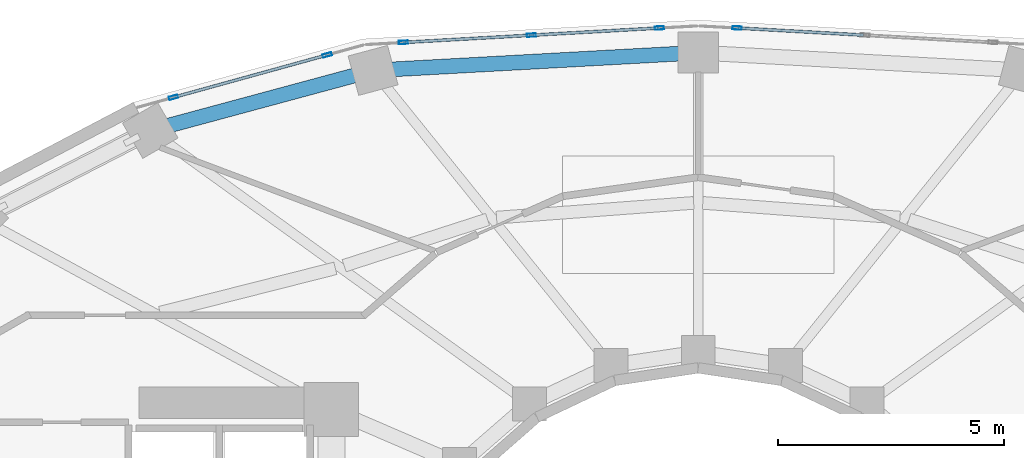
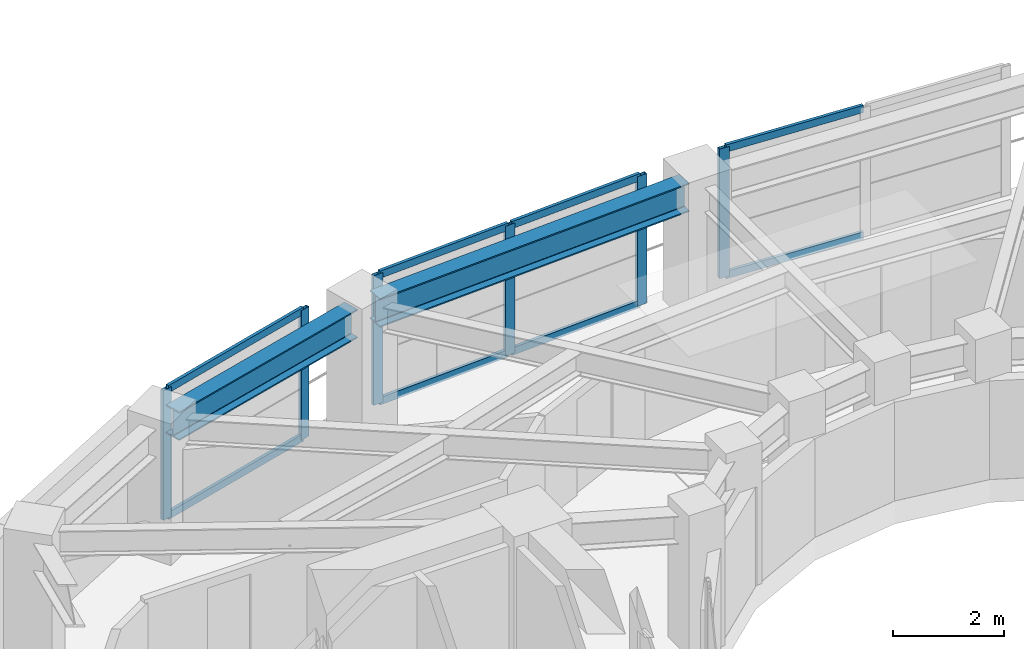
# One storey, part 11 of 20: 14 members, 2 beams, 3 elements without a shape of their own.
"""IFC4 building model written with IfcOpenShell, lengths in metres."""

from ifc_helpers import new_model, si_unit, direction, frame, origin, origin_2d, place, context, subcontext, project, spatial, hollow_rectangle, i_section, extrude, material, layer, layer_set, material_profile, profile_set, type_object, element, aggregate, save


model = new_model("IFC4")

# Units and contexts
model_context = context("Model", 3, precision=1e-05, world=origin(), true_north=direction((0.0, 1.0)))
body_context = subcontext(model_context, "Body", "Model", "MODEL_VIEW")
ifc_project = project(units=[si_unit("LENGTHUNIT", "METRE"), si_unit("AREAUNIT", "SQUARE_METRE"), si_unit("VOLUMEUNIT", "CUBIC_METRE"), si_unit("PLANEANGLEUNIT", "RADIAN"), si_unit("MASSUNIT", "GRAM", prefix="KILO")], contexts=[model_context])

# Site, building, storey
site_placement = place(None, origin())
site = spatial("IfcSite", under=ifc_project, at=site_placement, CompositionType="ELEMENT")
building_placement = place(site_placement, origin())
building = spatial("IfcBuilding", under=site, at=building_placement, Name="Solvane Sanctuary Tower", CompositionType="ELEMENT")
storey_placement = place(building_placement, frame((0.0, 0.0, 137.39990234375)))
storey = spatial("IfcBuildingStorey", under=building, at=storey_placement, Name="L41", CompositionType="ELEMENT", Elevation=137.39990234375)

# Beams
ifc_material_1 = material(Name="Steel ASTM A992 Grade 50", Category="steel")
ifc_material_profile_1 = material_profile(ifc_material_1, i_section(OverallWidth=0.327880859375, OverallDepth=0.6279296875, WebThickness=0.0166015625, FlangeThickness=0.027587890625, FilletRadius=0.01611328125, at=origin_2d()), Name="W24X146")
ifc_profile_set_1 = profile_set([ifc_material_profile_1], Name="Steel ASTM A992 Grade 50")
beam_type = type_object("IfcBeamType", Name="Beam B-SPAND-Z3 W24X146", PredefinedType="SPANDREL", material=ifc_profile_set_1)
beam_1_placement = place(storey_placement, frame((20.172119140625, 36.43212890625, 2.564208984375), z_axis=(0.965473224565, 0.260502308334, 0.0), x_axis=(-0.260502308334, 0.965473224565, 0.0)))
element("IfcBeam", 1, at=beam_1_placement, inside=storey, type_object=beam_type, Name="L41 Perimeter Spandrel Beam TC06-TC05", PredefinedType="SPANDREL", context=body_context, shape_type="SweptSolid", body=[
    extrude(i_section(OverallWidth=0.327880859375, OverallDepth=0.6279296875, WebThickness=0.0166015625, FlangeThickness=0.027587890625, FilletRadius=0.01611328125, at=origin_2d()), origin(), (0.0, 0.0, 1.0), 4.535888671875),
])
beam_2_placement = place(storey_placement, frame((25.101318359375, 37.701904296875, 2.564208984375), z_axis=(0.998501325362, 0.054727536496, 0.0), x_axis=(-0.054727536496, 0.998501325362, 0.0)))
element("IfcBeam", 2, at=beam_2_placement, inside=storey, type_object=beam_type, Name="L41 Perimeter Spandrel Beam TC05-TC04", PredefinedType="SPANDREL", context=body_context, shape_type="SweptSolid", body=[
    extrude(i_section(OverallWidth=0.327880859375, OverallDepth=0.6279296875, WebThickness=0.0166015625, FlangeThickness=0.027587890625, FilletRadius=0.01611328125, at=origin_2d()), origin(), (0.0, 0.0, 1.0), 6.629150390625),
])

# Curtain wall, member
ifc_material_2 = material(Name="Anodised Aluminium 6063-T6", Category="aluminium")
ifc_layer = layer(ifc_material_2, 0.18994140625, Name="Anodised Aluminium 6063-T6")
ifc_layer_set = layer_set([ifc_layer], Name="Anodised Aluminium 6063-T6")
curtain_wall_type = type_object("IfcCurtainWallType", Name="Curtain Wall CW-OPER", PredefinedType="NOTDEFINED", material=ifc_layer_set)
curtain_wall_1_placement = place(storey_placement, origin())
curtain_wall_1 = element("IfcCurtainWall", 3, at=curtain_wall_1_placement, inside=storey, type_object=curtain_wall_type, Name="L41 CW-OPER Facade Run 05", PredefinedType="NOTDEFINED")
ifc_material_profile_2 = material_profile(ifc_material_2, hollow_rectangle(XDim=0.074951171875, YDim=0.199951171875, WallThickness=0.00390625, at=origin_2d()), Name="ALU200X75X4")
ifc_profile_set_2 = profile_set([ifc_material_profile_2], Name="Anodised Aluminium 6063-T6")
member_type_1 = type_object("IfcMemberType", Name="Member M-CW-MUL-1 ALU200X75X4", PredefinedType="MULLION", material=ifc_profile_set_2)
member_1_placement = place(storey_placement, frame((32.856201171875, 38.623291015625, 0.0), z_axis=(0.0, 0.0, 1.0), x_axis=(-0.05623268046, -0.998417690973, 0.0)))
member_1 = element("IfcMember", 4, at=member_1_placement, type_object=member_type_1, Name="CW-OPER mullion 3", PredefinedType="MULLION", context=body_context, shape_type="SweptSolid", body=[
    extrude(hollow_rectangle(XDim=0.074951171875, YDim=0.199951171875, WallThickness=0.00390625, at=origin_2d()), origin(), (0.0, 0.0, 1.0), 2.840087890625),
])

# Curtain wall, members
curtain_wall_2_placement = place(storey_placement, origin())
curtain_wall_2 = element("IfcCurtainWall", 5, at=curtain_wall_2_placement, inside=storey, type_object=curtain_wall_type, Name="L41 CW-OPER Facade Run 06", PredefinedType="NOTDEFINED")
member_2_placement = place(storey_placement, frame((31.143798828125, 38.623291015625, 0.0), z_axis=(0.0, 0.0, 1.0), x_axis=(0.05623268046, -0.998417690973, 0.0)))
member_2 = element("IfcMember", 6, at=member_2_placement, type_object=member_type_1, Name="CW-OPER mullion 1", PredefinedType="MULLION", context=body_context, shape_type="SweptSolid", body=[
    extrude(hollow_rectangle(XDim=0.074951171875, YDim=0.199951171875, WallThickness=0.00390625, at=origin_2d()), origin(), (0.0, 0.0, 1.0), 2.840087890625),
])
member_3_placement = place(storey_placement, frame((28.3173828125, 38.464111328125, 0.0), z_axis=(0.0, 0.0, 1.0), x_axis=(0.05623268046, -0.998417690973, 0.0)))
member_3 = element("IfcMember", 7, at=member_3_placement, type_object=member_type_1, Name="CW-OPER mullion 2", PredefinedType="MULLION", context=body_context, shape_type="SweptSolid", body=[
    extrude(hollow_rectangle(XDim=0.074951171875, YDim=0.199951171875, WallThickness=0.00390625, at=origin_2d()), origin(), (0.0, 0.0, 1.0), 2.840087890625),
])
member_4_placement = place(storey_placement, frame((25.490966796875, 38.3046875, 0.0), z_axis=(0.0, 0.0, 1.0), x_axis=(0.05623268046, -0.998417690973, 0.0)))
member_4 = element("IfcMember", 8, at=member_4_placement, type_object=member_type_1, Name="CW-OPER mullion 3", PredefinedType="MULLION", context=body_context, shape_type="SweptSolid", body=[
    extrude(hollow_rectangle(XDim=0.074951171875, YDim=0.199951171875, WallThickness=0.00390625, at=origin_2d()), origin(), (0.0, 0.0, 1.0), 2.840087890625),
])

curtain_wall_3_placement = place(storey_placement, origin())
curtain_wall_3 = element("IfcCurtainWall", 9, at=curtain_wall_3_placement, inside=storey, type_object=curtain_wall_type, Name="L41 CW-OPER Facade Run 07", PredefinedType="NOTDEFINED")
member_5_placement = place(storey_placement, frame((23.808349609375, 38.0283203125, 0.0), z_axis=(0.0, 0.0, 1.0), x_axis=(0.266021653965, -0.963967053183, 0.0)))
member_5 = element("IfcMember", 10, at=member_5_placement, type_object=member_type_1, Name="CW-OPER mullion 1", PredefinedType="MULLION", context=body_context, shape_type="SweptSolid", body=[
    extrude(hollow_rectangle(XDim=0.074951171875, YDim=0.199951171875, WallThickness=0.00390625, at=origin_2d()), origin(), (0.0, 0.0, 1.0), 2.840087890625),
])
member_6_placement = place(storey_placement, frame((20.413330078125, 37.091552734375, 0.0), z_axis=(0.0, 0.0, 1.0), x_axis=(0.266021653965, -0.963967053183, 0.0)))
member_6 = element("IfcMember", 11, at=member_6_placement, type_object=member_type_1, Name="CW-OPER mullion 2", PredefinedType="MULLION", context=body_context, shape_type="SweptSolid", body=[
    extrude(hollow_rectangle(XDim=0.074951171875, YDim=0.199951171875, WallThickness=0.00390625, at=origin_2d()), origin(), (0.0, 0.0, 1.0), 2.840087890625),
])

# Member
ifc_material_profile_3 = material_profile(ifc_material_2, hollow_rectangle(XDim=0.06494140625, YDim=0.159912109375, WallThickness=0.00341796875, at=origin_2d()), Name="ALU160X65X3.5")
ifc_profile_set_3 = profile_set([ifc_material_profile_3], Name="Anodised Aluminium 6063-T6")
member_type_2 = type_object("IfcMemberType", Name="Member M-CW-TRN-1 ALU160X65X3.5", PredefinedType="USERDEFINED", material=ifc_profile_set_3)
member_7_placement = place(storey_placement, frame((35.645263671875, 38.466064453125, 0.03271484375), z_axis=(-0.998416711048, 0.056250076437, 0.0), x_axis=(-0.056250076437, -0.998416711048, 0.0)))
member_7 = element("IfcMember", 12, at=member_7_placement, type_object=member_type_2, Name="CW-OPER transom 2.1", ObjectType="TRANSOM", PredefinedType="USERDEFINED", context=body_context, shape_type="SweptSolid", body=[
    extrude(hollow_rectangle(XDim=0.06494140625, YDim=0.159912109375, WallThickness=0.00341796875, at=origin_2d()), origin(), (0.0, 0.0, 1.0), 2.756103515625),
])

member_8_placement = place(storey_placement, frame((35.645263671875, 38.466064453125, 2.8076171875), z_axis=(-0.998416711048, 0.056250076437, 0.0), x_axis=(-0.056250076437, -0.998416711048, 0.0)))
member_8 = element("IfcMember", 13, at=member_8_placement, type_object=member_type_2, Name="CW-OPER transom 2.2", ObjectType="TRANSOM", PredefinedType="USERDEFINED", context=body_context, shape_type="SweptSolid", body=[
    extrude(hollow_rectangle(XDim=0.06494140625, YDim=0.159912109375, WallThickness=0.00341796875, at=origin_2d()), origin(), (0.0, 0.0, 1.0), 2.756103515625),
])

aggregate(curtain_wall_1, [member_1, member_7, member_8])

member_9_placement = place(storey_placement, frame((31.1064453125, 38.62109375, 0.03271484375), z_axis=(-0.998416711048, -0.056250076437, 0.0), x_axis=(0.056250076437, -0.998416711048, 0.0)))
member_9 = element("IfcMember", 14, at=member_9_placement, type_object=member_type_2, Name="CW-OPER transom 1.1", ObjectType="TRANSOM", PredefinedType="USERDEFINED", context=body_context, shape_type="SweptSolid", body=[
    extrude(hollow_rectangle(XDim=0.06494140625, YDim=0.159912109375, WallThickness=0.00341796875, at=origin_2d()), origin(), (0.0, 0.0, 1.0), 2.756103515625),
])

member_10_placement = place(storey_placement, frame((31.1064453125, 38.62109375, 2.8076171875), z_axis=(-0.998416711048, -0.056250076437, 0.0), x_axis=(0.056250076437, -0.998416711048, 0.0)))
member_10 = element("IfcMember", 15, at=member_10_placement, type_object=member_type_2, Name="CW-OPER transom 1.2", ObjectType="TRANSOM", PredefinedType="USERDEFINED", context=body_context, shape_type="SweptSolid", body=[
    extrude(hollow_rectangle(XDim=0.06494140625, YDim=0.159912109375, WallThickness=0.00341796875, at=origin_2d()), origin(), (0.0, 0.0, 1.0), 2.756103515625),
])

member_11_placement = place(storey_placement, frame((28.280029296875, 38.4619140625, 0.03271484375), z_axis=(-0.998416711048, -0.056250076437, 0.0), x_axis=(0.056250076437, -0.998416711048, 0.0)))
member_11 = element("IfcMember", 16, at=member_11_placement, type_object=member_type_2, Name="CW-OPER transom 2.1", ObjectType="TRANSOM", PredefinedType="USERDEFINED", context=body_context, shape_type="SweptSolid", body=[
    extrude(hollow_rectangle(XDim=0.06494140625, YDim=0.159912109375, WallThickness=0.00341796875, at=origin_2d()), origin(), (0.0, 0.0, 1.0), 2.756103515625),
])

member_12_placement = place(storey_placement, frame((28.280029296875, 38.4619140625, 2.8076171875), z_axis=(-0.998416711048, -0.056250076437, 0.0), x_axis=(0.056250076437, -0.998416711048, 0.0)))
member_12 = element("IfcMember", 17, at=member_12_placement, type_object=member_type_2, Name="CW-OPER transom 2.2", ObjectType="TRANSOM", PredefinedType="USERDEFINED", context=body_context, shape_type="SweptSolid", body=[
    extrude(hollow_rectangle(XDim=0.06494140625, YDim=0.159912109375, WallThickness=0.00341796875, at=origin_2d()), origin(), (0.0, 0.0, 1.0), 2.756103515625),
])

aggregate(curtain_wall_2, [member_2, member_3, member_4, member_9, member_10, member_11, member_12])

member_13_placement = place(storey_placement, frame((23.772216796875, 38.0185546875, 0.03271484375), z_axis=(-0.963960051492, -0.266047024278, 0.0), x_axis=(0.266047024278, -0.963960051492, 0.0)))
member_13 = element("IfcMember", 18, at=member_13_placement, type_object=member_type_2, Name="CW-OPER transom 1.1", ObjectType="TRANSOM", PredefinedType="USERDEFINED", context=body_context, shape_type="SweptSolid", body=[
    extrude(hollow_rectangle(XDim=0.06494140625, YDim=0.159912109375, WallThickness=0.00341796875, at=origin_2d()), origin(), (0.0, 0.0, 1.0), 3.44677734375),
])

member_14_placement = place(storey_placement, frame((23.772216796875, 38.0185546875, 2.8076171875), z_axis=(-0.963960051492, -0.266047024278, 0.0), x_axis=(0.266047024278, -0.963960051492, 0.0)))
member_14 = element("IfcMember", 19, at=member_14_placement, type_object=member_type_2, Name="CW-OPER transom 1.2", ObjectType="TRANSOM", PredefinedType="USERDEFINED", context=body_context, shape_type="SweptSolid", body=[
    extrude(hollow_rectangle(XDim=0.06494140625, YDim=0.159912109375, WallThickness=0.00341796875, at=origin_2d()), origin(), (0.0, 0.0, 1.0), 3.44677734375),
])

aggregate(curtain_wall_3, [member_5, member_6, member_13, member_14])

save(model, "model.ifc")
